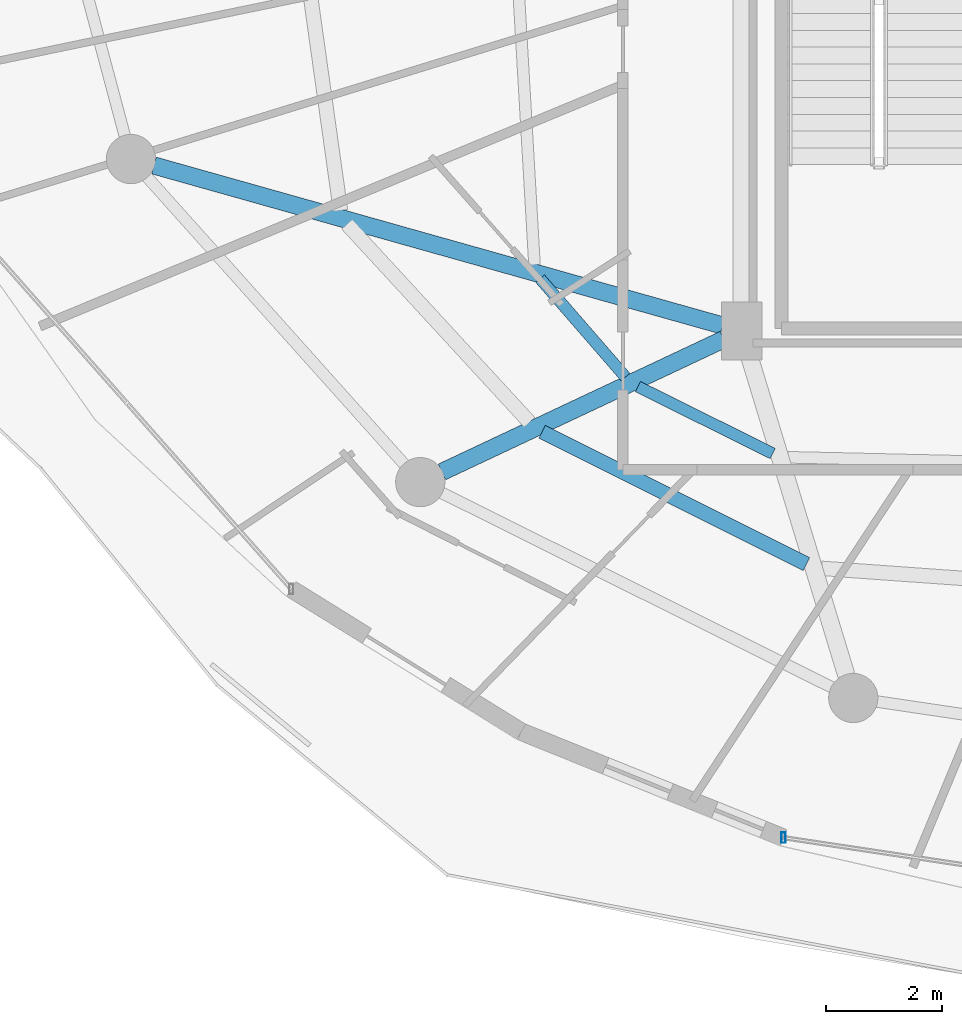
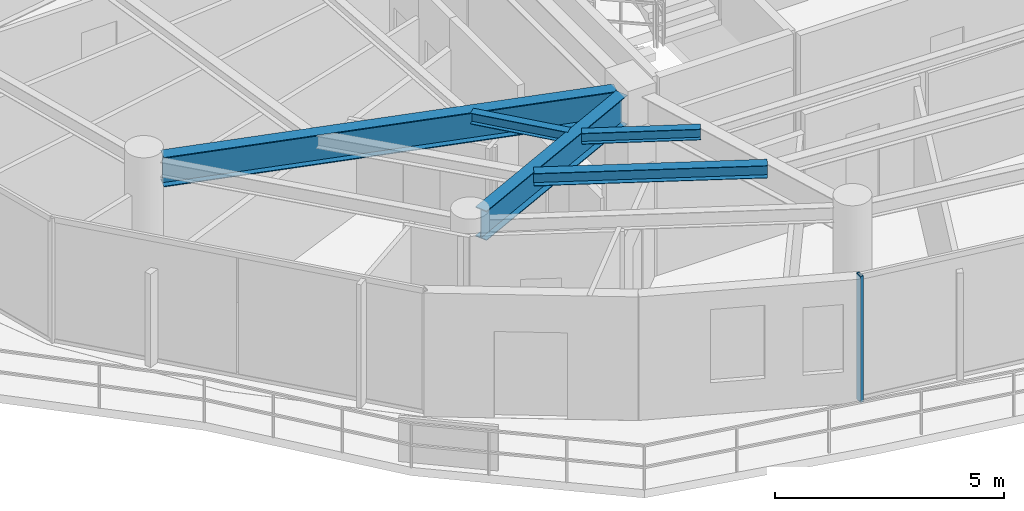
# One storey, part 4 of 32: 5 beams, 1 member, 1 element without a shape of its own.
"""IFC4 building model written with IfcOpenShell, lengths in metres."""

from ifc_helpers import new_model, si_unit, direction, frame, origin, origin_2d, place, context, subcontext, project, spatial, hollow_rectangle, i_section, extrude, material, material_profile, profile_set, type_object, element, aggregate, save


model = new_model("IFC4")

# Units and contexts
model_context = context("Model", 3, precision=1e-05, world=origin(), true_north=direction((0.0, 1.0)))
body_context = subcontext(model_context, "Body", "Model", "MODEL_VIEW")
ifc_project = project(units=[si_unit("LENGTHUNIT", "METRE"), si_unit("AREAUNIT", "SQUARE_METRE"), si_unit("VOLUMEUNIT", "CUBIC_METRE"), si_unit("PLANEANGLEUNIT", "RADIAN"), si_unit("MASSUNIT", "GRAM", prefix="KILO")], contexts=[model_context])

# Site, building, storey
site_placement = place(None, origin())
site = spatial("IfcSite", under=ifc_project, at=site_placement, CompositionType="ELEMENT")
building_placement = place(site_placement, origin())
building = spatial("IfcBuilding", under=site, at=building_placement, Name="Vorneva Point Tower", CompositionType="ELEMENT")
storey_placement = place(building_placement, frame((0.0, 0.0, 269.75)))
storey = spatial("IfcBuildingStorey", under=building, at=storey_placement, Name="L73", CompositionType="ELEMENT", Elevation=269.75)

# Beams
ifc_material_1 = material(Name="Steel S355", Category="steel")
ifc_material_profile_1 = material_profile(ifc_material_1, i_section(OverallWidth=0.300048828125, OverallDepth=0.7880859375, WebThickness=0.014404296875, FlangeThickness=0.02197265625, at=origin_2d()), Name="80Sh1")
ifc_profile_set_1 = profile_set([ifc_material_profile_1], Name="Steel S355")
beam_type_1 = type_object("IfcBeamType", Name="BM-GRD-80Sh1", PredefinedType="USERDEFINED", material=ifc_profile_set_1)
beam_1_placement = place(storey_placement, frame((17.102294921875, 19.305908203125, 2.89599609375), z_axis=(0.962601026021, -0.270922986664, 0.0), x_axis=(0.270922986664, 0.962601026021, 0.0)))
element("IfcBeam", 1, at=beam_1_placement, inside=storey, type_object=beam_type_1, Name="L73 Radial Primary Girder 10", ObjectType="GIRDER", PredefinedType="USERDEFINED", context=body_context, shape_type="SweptSolid", body=[
    extrude(i_section(OverallWidth=0.300048828125, OverallDepth=0.7880859375, WebThickness=0.014404296875, FlangeThickness=0.02197265625, at=origin_2d()), origin(), (0.0, 0.0, 1.0), 10.201904296875),
])
beam_2_placement = place(storey_placement, frame((22.074951171875, 14.013671875, 2.89599609375), z_axis=(0.904750812805, 0.425941271455, 0.0), x_axis=(-0.425941271455, 0.904750812805, 0.0)))
element("IfcBeam", 2, at=beam_2_placement, inside=storey, type_object=beam_type_1, Name="L73 Radial Primary Girder 11", ObjectType="GIRDER", PredefinedType="USERDEFINED", context=body_context, shape_type="SweptSolid", body=[
    extrude(i_section(OverallWidth=0.300048828125, OverallDepth=0.7880859375, WebThickness=0.014404296875, FlangeThickness=0.02197265625, at=origin_2d()), origin(), (0.0, 0.0, 1.0), 5.3798828125),
])
ifc_material_profile_2 = material_profile(ifc_material_1, i_section(OverallWidth=0.199951171875, OverallDepth=0.291015625, WebThickness=0.008056640625, FlangeThickness=0.010986328125, at=origin_2d()), Name="30Sh1")
ifc_profile_set_2 = profile_set([ifc_material_profile_2], Name="Steel S355")
beam_type_2 = type_object("IfcBeamType", Name="BM-SEC-30Sh1", PredefinedType="BEAM", material=ifc_profile_set_2)
beam_3_placement = place(storey_placement, frame((23.7724609375, 17.35009765625, 3.14453125), z_axis=(0.655592112654, -0.755115210962, 0.0), x_axis=(0.755115210962, 0.655592112654, 0.0)))
element("IfcBeam", 3, at=beam_3_placement, inside=storey, type_object=beam_type_2, Name="L73 Secondary Floor Beam 2.10", PredefinedType="BEAM", context=body_context, shape_type="SweptSolid", body=[
    extrude(i_section(OverallWidth=0.199951171875, OverallDepth=0.291015625, WebThickness=0.008056640625, FlangeThickness=0.010986328125, at=origin_2d()), origin(), (0.0, 0.0, 1.0), 2.2470703125),
])
beam_4_placement = place(storey_placement, frame((25.459716796875, 15.48779296875, 3.14453125), z_axis=(0.895737278739, -0.444583768796, 0.0), x_axis=(0.444583768796, 0.895737278739, 0.0)))
element("IfcBeam", 4, at=beam_4_placement, inside=storey, type_object=beam_type_2, Name="L73 Secondary Floor Beam 2.11", PredefinedType="BEAM", context=body_context, shape_type="SweptSolid", body=[
    extrude(i_section(OverallWidth=0.199951171875, OverallDepth=0.291015625, WebThickness=0.008056640625, FlangeThickness=0.010986328125, at=origin_2d()), origin(), (0.0, 0.0, 1.0), 2.601318359375),
])
ifc_material_profile_3 = material_profile(ifc_material_1, i_section(OverallWidth=0.2490234375, OverallDepth=0.333984375, WebThickness=0.008056640625, FlangeThickness=0.010986328125, at=origin_2d()), Name="35Sh1")
ifc_profile_set_3 = profile_set([ifc_material_profile_3], Name="Steel S355")
beam_type_3 = type_object("IfcBeamType", Name="BM-SEC-35Sh1", PredefinedType="BEAM", material=ifc_profile_set_3)
beam_5_placement = place(storey_placement, frame((23.8046875, 14.7080078125, 3.123046875), z_axis=(0.894121037804, -0.447825378643, 0.0), x_axis=(0.447825378643, 0.894121037804, 0.0)))
element("IfcBeam", 5, at=beam_5_placement, inside=storey, type_object=beam_type_3, Name="L73 Secondary Floor Beam 1.11", PredefinedType="BEAM", context=body_context, shape_type="SweptSolid", body=[
    extrude(i_section(OverallWidth=0.2490234375, OverallDepth=0.333984375, WebThickness=0.008056640625, FlangeThickness=0.010986328125, at=origin_2d()), origin(), (0.0, 0.0, 1.0), 5.107177734375),
])

# Curtain wall, member
ifc_material_2 = material(Name="Pale anodised aluminium", Category="aluminium")
curtain_wall_type = type_object("IfcCurtainWallType", Name="CW-RES-SYS", PredefinedType="NOTDEFINED", material=ifc_material_2)
curtain_wall_placement = place(storey_placement, origin())
curtain_wall = element("IfcCurtainWall", 6, at=curtain_wall_placement, inside=storey, type_object=curtain_wall_type, Name="L73 Unitised Curtain Wall CW-L73-R04", PredefinedType="NOTDEFINED")
ifc_material_profile_4 = material_profile(ifc_material_2, hollow_rectangle(XDim=0.074951171875, YDim=0.179931640625, WallThickness=0.00390625, at=origin_2d()), Name="AL-MUL 180x75x4")
ifc_profile_set_4 = profile_set([ifc_material_profile_4], Name="Pale anodised aluminium")
member_type = type_object("IfcMemberType", Name="CW-MUL-180", PredefinedType="MULLION", material=ifc_profile_set_4)
member_placement = place(storey_placement, frame((27.9736328125, 7.697998046875, -0.0400390625), z_axis=(0.0, 0.0, 1.0), x_axis=(1.0, 0.0, 0.0)))
member = element("IfcMember", 7, at=member_placement, type_object=member_type, Name="CW-L73-R04 Mullion 01", PredefinedType="MULLION", context=body_context, shape_type="SweptSolid", body=[
    extrude(hollow_rectangle(XDim=0.074951171875, YDim=0.179931640625, WallThickness=0.00390625, at=origin_2d()), origin(), (0.0, 0.0, 1.0), 3.360107421875),
])
aggregate(curtain_wall, [member])

save(model, "model.ifc")
